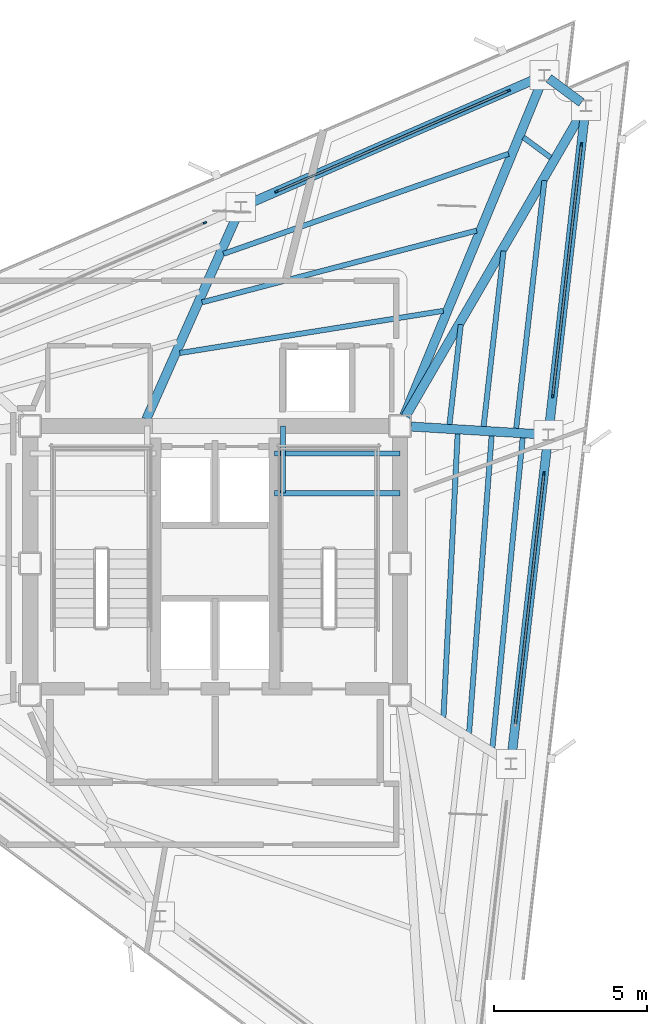
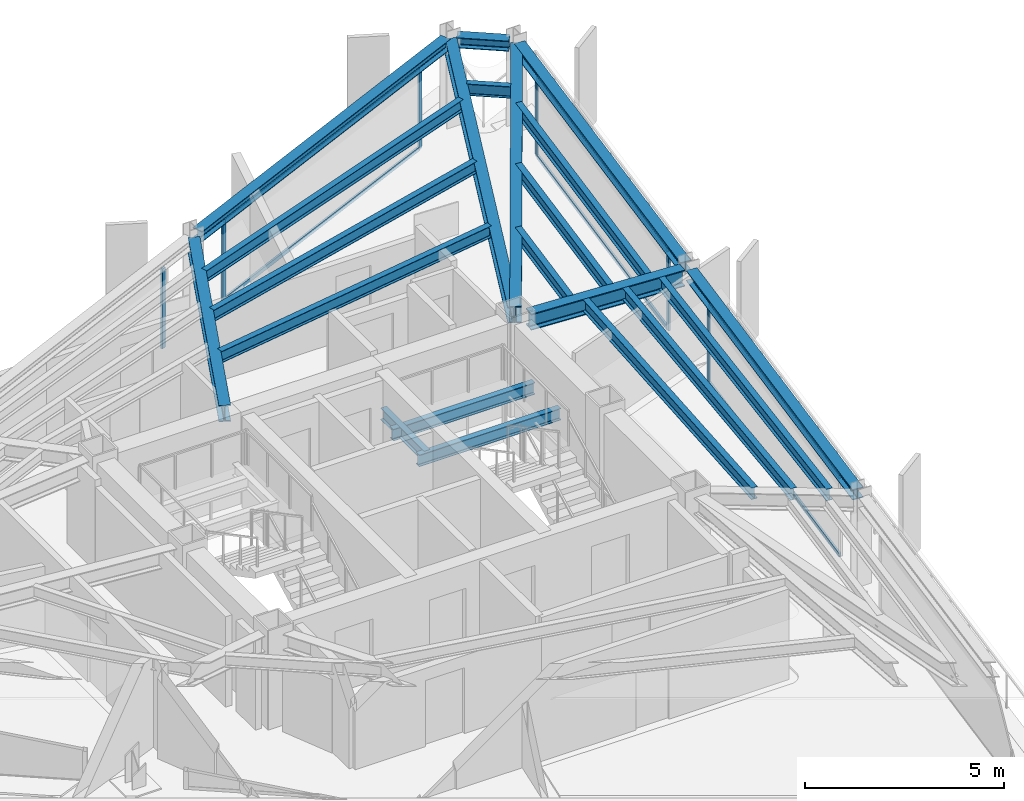
# One storey, part 4 of 10: 21 beams, 12 members, 4 elements without a shape of their own.
"""IFC4 building model written with IfcOpenShell, lengths in metres."""

from ifc_helpers import new_model, si_unit, direction, frame, origin, origin_2d, place, context, subcontext, project, spatial, rectangle, i_section, extrude, material, layer, layer_set, material_profile, profile_set, type_object, element, aggregate, save


model = new_model("IFC4")

# Units and contexts
model_context = context("Model", 3, precision=1e-05, world=origin(), true_north=direction((0.0, 1.0)))
body_context = subcontext(model_context, "Body", "Model", "MODEL_VIEW")
ifc_project = project(units=[si_unit("LENGTHUNIT", "METRE"), si_unit("AREAUNIT", "SQUARE_METRE"), si_unit("VOLUMEUNIT", "CUBIC_METRE"), si_unit("PLANEANGLEUNIT", "RADIAN"), si_unit("MASSUNIT", "GRAM", prefix="KILO")], contexts=[model_context])

# Site, building, storey
site_placement = place(None, origin())
site = spatial("IfcSite", under=ifc_project, at=site_placement, CompositionType="ELEMENT")
building_placement = place(site_placement, origin())
building = spatial("IfcBuilding", under=site, at=building_placement, Name="Rocaltana Carrier Exchange", CompositionType="ELEMENT")
storey_placement = place(building_placement, frame((0.0, 0.0, 214.8798828125)))
storey = spatial("IfcBuildingStorey", under=building, at=storey_placement, Name="L68", CompositionType="ELEMENT", Elevation=214.8798828125)

# Curtain wall, member
ifc_material_1 = material(Name="Aluminium 6063-T6", Category="aluminium")
ifc_layer = layer(ifc_material_1, 0.1201171875)
ifc_layer_set = layer_set([ifc_layer], Name="Aluminium 6063-T6")
curtain_wall_type = type_object("IfcCurtainWallType", Name="High-Altitude Thermal Curtain Wall CW-05", PredefinedType="NOTDEFINED", material=ifc_layer_set)
curtain_wall_1_placement = place(storey_placement, origin())
curtain_wall_1 = element("IfcCurtainWall", 1, at=curtain_wall_1_placement, inside=storey, type_object=curtain_wall_type, Name="L68 CW-05 Run CW-L68-F1S2", PredefinedType="NOTDEFINED")
ifc_material_2 = material(Name="Aluminium 6063-T6", Category="aluminium")
ifc_material_profile_1 = material_profile(ifc_material_2, rectangle(XDim=0.06005859375, YDim=0.1201171875, at=origin_2d()), Name="AL-60X120")
ifc_profile_set_1 = profile_set([ifc_material_profile_1], Name="Aluminium 6063-T6")
member_type_1 = type_object("IfcMemberType", Name="CW-05 Mullion AL-60X120", PredefinedType="MULLION", material=ifc_profile_set_1)
member_1_placement = place(storey_placement, frame((10.756591796875, 2.93798828125, 0.0), z_axis=(0.0, 0.0, 1.0), x_axis=(-0.993571216652, 0.113208822277, 0.0)))
member_1 = element("IfcMember", 2, at=member_1_placement, type_object=member_type_1, Name="CW-05 mullion 2", PredefinedType="MULLION", context=body_context, shape_type="SweptSolid", body=[
    extrude(rectangle(XDim=0.06005859375, YDim=0.1201171875, at=origin_2d()), origin(), (0.0, 0.0, 1.0), 2.447998046875),
])

# Curtain wall, members
curtain_wall_2_placement = place(storey_placement, origin())
curtain_wall_2 = element("IfcCurtainWall", 3, at=curtain_wall_2_placement, inside=storey, type_object=curtain_wall_type, Name="L68 CW-05 Run CW-L68-F1S3", PredefinedType="NOTDEFINED")
member_2_placement = place(storey_placement, frame((11.04638671875, 5.4814453125, 0.0), z_axis=(0.0, 0.0, 1.0), x_axis=(-0.993572566365, 0.113196975964, 0.0)))
member_2 = element("IfcMember", 4, at=member_2_placement, type_object=member_type_1, Name="CW-05 mullion 1", PredefinedType="MULLION", context=body_context, shape_type="SweptSolid", body=[
    extrude(rectangle(XDim=0.06005859375, YDim=0.1201171875, at=origin_2d()), origin(), (0.0, 0.0, 1.0), 2.447998046875),
])
member_3_placement = place(storey_placement, frame((11.98291015625, 13.70166015625, 0.0), z_axis=(0.0, 0.0, 1.0), x_axis=(-0.993572566365, 0.113196975964, 0.0)))
member_3 = element("IfcMember", 5, at=member_3_placement, type_object=member_type_1, Name="CW-05 mullion 2", PredefinedType="MULLION", context=body_context, shape_type="SweptSolid", body=[
    extrude(rectangle(XDim=0.06005859375, YDim=0.1201171875, at=origin_2d()), origin(), (0.0, 0.0, 1.0), 2.447998046875),
])

curtain_wall_3_placement = place(storey_placement, origin())
curtain_wall_3 = element("IfcCurtainWall", 6, at=curtain_wall_3_placement, inside=storey, type_object=curtain_wall_type, Name="L68 CW-05 Run CW-L68-F2S1", PredefinedType="NOTDEFINED")
member_4_placement = place(storey_placement, frame((9.599609375, 15.46533203125, 0.0), z_axis=(0.0, 0.0, 1.0), x_axis=(0.39875682637, -0.917056701313, 0.0)))
member_4 = element("IfcMember", 7, at=member_4_placement, type_object=member_type_1, Name="CW-05 mullion 1", PredefinedType="MULLION", context=body_context, shape_type="SweptSolid", body=[
    extrude(rectangle(XDim=0.06005859375, YDim=0.1201171875, at=origin_2d()), origin(), (0.0, 0.0, 1.0), 2.447998046875),
])
member_5_placement = place(storey_placement, frame((2.01220703125, 12.166259765625, 0.0), z_axis=(0.0, 0.0, 1.0), x_axis=(0.39875682637, -0.917056701313, 0.0)))
member_5 = element("IfcMember", 8, at=member_5_placement, type_object=member_type_1, Name="CW-05 mullion 2", PredefinedType="MULLION", context=body_context, shape_type="SweptSolid", body=[
    extrude(rectangle(XDim=0.06005859375, YDim=0.1201171875, at=origin_2d()), origin(), (0.0, 0.0, 1.0), 2.447998046875),
])

# Curtain wall, member
curtain_wall_4_placement = place(storey_placement, origin())
curtain_wall_4 = element("IfcCurtainWall", 9, at=curtain_wall_4_placement, inside=storey, type_object=curtain_wall_type, Name="L68 CW-05 Run CW-L68-F2S2", PredefinedType="NOTDEFINED")
member_6_placement = place(storey_placement, frame((-0.335205078125, 11.1455078125, 0.0), z_axis=(0.0, 0.0, 1.0), x_axis=(0.398752438254, -0.917058609352, 0.0)))
member_6 = element("IfcMember", 10, at=member_6_placement, type_object=member_type_1, Name="CW-05 mullion 1", PredefinedType="MULLION", context=body_context, shape_type="SweptSolid", body=[
    extrude(rectangle(XDim=0.06005859375, YDim=0.1201171875, at=origin_2d()), origin(), (0.0, 0.0, 1.0), 2.447998046875),
])
aggregate(curtain_wall_4, [member_6])

# Member
ifc_material_3 = material(Name="Aluminium 6063-T6", Category="aluminium")
ifc_material_profile_2 = material_profile(ifc_material_3, rectangle(XDim=0.06005859375, YDim=0.1201171875, at=origin_2d()), Name="AL-60X120")
ifc_profile_set_2 = profile_set([ifc_material_profile_2], Name="Aluminium 6063-T6")
member_type_2 = type_object("IfcMemberType", Name="CW-05 Transom AL-60X120", PredefinedType="USERDEFINED", material=ifc_profile_set_2)
member_7_placement = place(storey_placement, frame((9.8232421875, -5.25244140625, 0.030029296875), z_axis=(0.113220478228, 0.993569888488, 0.0), x_axis=(-0.993569888488, 0.113220478228, 0.0)))
member_7 = element("IfcMember", 11, at=member_7_placement, type_object=member_type_2, Name="CW-05 transom 1.1", ObjectType="TRANSOM", PredefinedType="USERDEFINED", context=body_context, shape_type="SweptSolid", body=[
    extrude(rectangle(XDim=0.06005859375, YDim=0.1201171875, at=origin_2d()), origin(), (0.0, 0.0, 1.0), 8.21337890625),
])

member_8_placement = place(storey_placement, frame((9.8232421875, -5.25244140625, 2.418212890625), z_axis=(0.113220478228, 0.993569888488, 0.0), x_axis=(-0.993569888488, 0.113220478228, 0.0)))
member_8 = element("IfcMember", 12, at=member_8_placement, type_object=member_type_2, Name="CW-05 transom 1.2", ObjectType="TRANSOM", PredefinedType="USERDEFINED", context=body_context, shape_type="SweptSolid", body=[
    extrude(rectangle(XDim=0.06005859375, YDim=0.1201171875, at=origin_2d()), origin(), (0.0, 0.0, 1.0), 8.21337890625),
])

aggregate(curtain_wall_1, [member_1, member_7, member_8])

member_9_placement = place(storey_placement, frame((11.0498046875, 5.51123046875, 0.030029296875), z_axis=(0.113191134651, 0.993573231844, 0.0), x_axis=(-0.993573231844, 0.113191134651, 0.0)))
member_9 = element("IfcMember", 13, at=member_9_placement, type_object=member_type_2, Name="CW-05 transom 1.1", ObjectType="TRANSOM", PredefinedType="USERDEFINED", context=body_context, shape_type="SweptSolid", body=[
    extrude(rectangle(XDim=0.06005859375, YDim=0.1201171875, at=origin_2d()), origin(), (0.0, 0.0, 1.0), 8.21337890625),
])

member_10_placement = place(storey_placement, frame((11.0498046875, 5.51123046875, 2.418212890625), z_axis=(0.113191134651, 0.993573231844, 0.0), x_axis=(-0.993573231844, 0.113191134651, 0.0)))
member_10 = element("IfcMember", 14, at=member_10_placement, type_object=member_type_2, Name="CW-05 transom 1.2", ObjectType="TRANSOM", PredefinedType="USERDEFINED", context=body_context, shape_type="SweptSolid", body=[
    extrude(rectangle(XDim=0.06005859375, YDim=0.1201171875, at=origin_2d()), origin(), (0.0, 0.0, 1.0), 8.21337890625),
])

aggregate(curtain_wall_2, [member_2, member_3, member_9, member_10])

member_11_placement = place(storey_placement, frame((9.572021484375, 15.453369140625, 0.030029296875), z_axis=(-0.917058241688, -0.398753283814, 0.0), x_axis=(0.398753283814, -0.917058241688, 0.0)))
member_11 = element("IfcMember", 15, at=member_11_placement, type_object=member_type_2, Name="CW-05 transom 1.1", ObjectType="TRANSOM", PredefinedType="USERDEFINED", context=body_context, shape_type="SweptSolid", body=[
    extrude(rectangle(XDim=0.06005859375, YDim=0.1201171875, at=origin_2d()), origin(), (0.0, 0.0, 1.0), 8.21337890625),
])

member_12_placement = place(storey_placement, frame((9.572021484375, 15.453369140625, 2.418212890625), z_axis=(-0.917058241688, -0.398753283814, 0.0), x_axis=(0.398753283814, -0.917058241688, 0.0)))
member_12 = element("IfcMember", 16, at=member_12_placement, type_object=member_type_2, Name="CW-05 transom 1.2", ObjectType="TRANSOM", PredefinedType="USERDEFINED", context=body_context, shape_type="SweptSolid", body=[
    extrude(rectangle(XDim=0.06005859375, YDim=0.1201171875, at=origin_2d()), origin(), (0.0, 0.0, 1.0), 8.21337890625),
])

aggregate(curtain_wall_3, [member_4, member_5, member_11, member_12])

# Beams
ifc_material_4 = material(Name="Steel S355", Category="steel")
ifc_material_profile_3 = material_profile(ifc_material_4, i_section(OverallWidth=0.172119140625, OverallDepth=0.35791015625, WebThickness=0.0078125, FlangeThickness=0.01318359375, FilletRadius=0.011962890625, at=origin_2d()), Name="W14X38")
ifc_profile_set_3 = profile_set([ifc_material_profile_3], Name="Steel S355")
beam_type_1 = type_object("IfcBeamType", Name="Floor Joist W14X38", PredefinedType="JOIST", material=ifc_profile_set_3)
for number, where, z_axis, x_axis, name in (
    (17, (1.93994140625, 2.300048828125, 1.14111328125), (1.0, 0.0, 0.0), (0.0, 1.0, 0.0), "L68 ST-2 Landing Carrier 1"),
    (18, (1.93994140625, 3.60009765625, 1.14111328125), (1.0, 0.0, 0.0), (0.0, 1.0, 0.0), "L68 ST-2 Landing Carrier 2"),
):
    element("IfcBeam", number, at=place(storey_placement, frame(where, z_axis=z_axis, x_axis=x_axis)), inside=storey, type_object=beam_type_1, Name=name, PredefinedType="JOIST", context=body_context, shape_type="SweptSolid", body=[
        extrude(i_section(OverallWidth=0.172119140625, OverallDepth=0.35791015625, WebThickness=0.0078125, FlangeThickness=0.01318359375, FilletRadius=0.011962890625, at=origin_2d()), origin(), (0.0, 0.0, 1.0), 4.110107421875),
    ])
beam_1_placement = place(storey_placement, frame((2.219970703125, 2.300048828125, 1.14111328125), z_axis=(0.0, 1.0, 0.0), x_axis=(-1.0, 0.0, 0.0)))
element("IfcBeam", 19, at=beam_1_placement, inside=storey, type_object=beam_type_1, Name="L68 ST-2 Landing Cross Trimmer", PredefinedType="JOIST", context=body_context, shape_type="SweptSolid", body=[
    extrude(i_section(OverallWidth=0.172119140625, OverallDepth=0.35791015625, WebThickness=0.0078125, FlangeThickness=0.01318359375, FilletRadius=0.011962890625, at=origin_2d()), origin(), (0.0, 0.0, 1.0), 2.199951171875),
])
beam_2_placement = place(storey_placement, frame((7.470947265625, -5.03515625, 2.619140625), z_axis=(0.049933684641, 0.998752535485, 0.0), x_axis=(-0.998752535485, 0.049933684641, 0.0)))
element("IfcBeam", 20, at=beam_2_placement, inside=storey, type_object=beam_type_1, Name="FJ-L68-02-1", PredefinedType="JOIST", context=body_context, shape_type="SweptSolid", body=[
    extrude(i_section(OverallWidth=0.172119140625, OverallDepth=0.35791015625, WebThickness=0.0078125, FlangeThickness=0.01318359375, FilletRadius=0.011962890625, at=origin_2d()), origin(), (0.0, 0.0, 1.0), 9.28955078125),
])
beam_3_placement = place(storey_placement, frame((8.308349609375, -5.553955078125, 2.619140625), z_axis=(0.075705441131, 0.997130225288, 0.0), x_axis=(-0.997130225288, 0.075705441131, 0.0)))
element("IfcBeam", 21, at=beam_3_placement, inside=storey, type_object=beam_type_1, Name="FJ-L68-02-2", PredefinedType="JOIST", context=body_context, shape_type="SweptSolid", body=[
    extrude(i_section(OverallWidth=0.172119140625, OverallDepth=0.35791015625, WebThickness=0.0078125, FlangeThickness=0.01318359375, FilletRadius=0.011962890625, at=origin_2d()), origin(), (0.0, 0.0, 1.0), 9.758544921875),
])
beam_4_placement = place(storey_placement, frame((9.07275390625, -6.027587890625, 2.619140625), z_axis=(0.097138741589, 0.995270850011, 0.0), x_axis=(-0.995270850011, 0.097138741589, 0.0)))
element("IfcBeam", 22, at=beam_4_placement, inside=storey, type_object=beam_type_1, Name="FJ-L68-02-3", PredefinedType="JOIST", context=body_context, shape_type="SweptSolid", body=[
    extrude(i_section(OverallWidth=0.172119140625, OverallDepth=0.35791015625, WebThickness=0.0078125, FlangeThickness=0.01318359375, FilletRadius=0.011962890625, at=origin_2d()), origin(), (0.0, 0.0, 1.0), 10.19140625),
])
beam_5_placement = place(storey_placement, frame((7.667236328125, 4.54736328125, 2.619140625), z_axis=(0.113203016028, 0.993571878206, 0.0), x_axis=(-0.993571878206, 0.113203016028, 0.0)))
element("IfcBeam", 23, at=beam_5_placement, inside=storey, type_object=beam_type_1, Name="FJ-L68-03-1", PredefinedType="JOIST", context=body_context, shape_type="SweptSolid", body=[
    extrude(i_section(OverallWidth=0.172119140625, OverallDepth=0.35791015625, WebThickness=0.0078125, FlangeThickness=0.01318359375, FilletRadius=0.011962890625, at=origin_2d()), origin(), (0.0, 0.0, 1.0), 3.286865234375),
])
beam_6_placement = place(storey_placement, frame((8.783203125, 4.48046875, 2.619140625), z_axis=(0.113185542157, 0.993573868943, 0.0), x_axis=(-0.993573868943, 0.113185542157, 0.0)))
element("IfcBeam", 24, at=beam_6_placement, inside=storey, type_object=beam_type_1, Name="FJ-L68-03-2", PredefinedType="JOIST", context=body_context, shape_type="SweptSolid", body=[
    extrude(i_section(OverallWidth=0.172119140625, OverallDepth=0.35791015625, WebThickness=0.0078125, FlangeThickness=0.01318359375, FilletRadius=0.011962890625, at=origin_2d()), origin(), (0.0, 0.0, 1.0), 5.778564453125),
])
beam_7_placement = place(storey_placement, frame((9.850341796875, 4.41650390625, 2.619140625), z_axis=(0.113215051584, 0.993570506856, 0.0), x_axis=(-0.993570506856, 0.113215051584, 0.0)))
element("IfcBeam", 25, at=beam_7_placement, inside=storey, type_object=beam_type_1, Name="FJ-L68-03-3", PredefinedType="JOIST", context=body_context, shape_type="SweptSolid", body=[
    extrude(i_section(OverallWidth=0.172119140625, OverallDepth=0.35791015625, WebThickness=0.0078125, FlangeThickness=0.01318359375, FilletRadius=0.011962890625, at=origin_2d()), origin(), (0.0, 0.0, 1.0), 8.162109375),
])
beam_8_placement = place(storey_placement, frame((10.978759765625, 13.278564453125, 2.619140625), z_axis=(-0.803783025316, 0.594922556484, 0.0), x_axis=(-0.594922556484, -0.803783025316, 0.0)))
element("IfcBeam", 26, at=beam_8_placement, inside=storey, type_object=beam_type_1, Name="FJ-L68-04-3", PredefinedType="JOIST", context=body_context, shape_type="SweptSolid", body=[
    extrude(i_section(OverallWidth=0.172119140625, OverallDepth=0.35791015625, WebThickness=0.0078125, FlangeThickness=0.01318359375, FilletRadius=0.011962890625, at=origin_2d()), origin(), (0.0, 0.0, 1.0), 1.1103515625),
])
beam_9_placement = place(storey_placement, frame((7.466552734375, 8.26416015625, 2.619140625), z_axis=(-0.987434349957, -0.158029758352, 0.0), x_axis=(0.158029758352, -0.987434349957, 0.0)))
element("IfcBeam", 27, at=beam_9_placement, inside=storey, type_object=beam_type_1, Name="FJ-L68-05-1", PredefinedType="JOIST", context=body_context, shape_type="SweptSolid", body=[
    extrude(i_section(OverallWidth=0.172119140625, OverallDepth=0.35791015625, WebThickness=0.0078125, FlangeThickness=0.01318359375, FilletRadius=0.011962890625, at=origin_2d()), origin(), (0.0, 0.0, 1.0), 8.731689453125),
])
beam_10_placement = place(storey_placement, frame((8.5556640625, 10.889892578125, 2.619140625), z_axis=(-0.967527830679, -0.252764508708, 0.0), x_axis=(0.252764508708, -0.967527830679, 0.0)))
element("IfcBeam", 28, at=beam_10_placement, inside=storey, type_object=beam_type_1, Name="FJ-L68-05-2", PredefinedType="JOIST", context=body_context, shape_type="SweptSolid", body=[
    extrude(i_section(OverallWidth=0.172119140625, OverallDepth=0.35791015625, WebThickness=0.0078125, FlangeThickness=0.01318359375, FilletRadius=0.011962890625, at=origin_2d()), origin(), (0.0, 0.0, 1.0), 9.2822265625),
])
beam_11_placement = place(storey_placement, frame((9.598388671875, 13.4033203125, 2.619140625), z_axis=(-0.943534028817, -0.331275620087, 0.0), x_axis=(0.331275620087, -0.943534028817, 0.0)))
element("IfcBeam", 29, at=beam_11_placement, inside=storey, type_object=beam_type_1, Name="FJ-L68-05-3", PredefinedType="JOIST", context=body_context, shape_type="SweptSolid", body=[
    extrude(i_section(OverallWidth=0.172119140625, OverallDepth=0.35791015625, WebThickness=0.0078125, FlangeThickness=0.01318359375, FilletRadius=0.011962890625, at=origin_2d()), origin(), (0.0, 0.0, 1.0), 9.883544921875),
])
ifc_material_5 = material(Name="Steel S355", Category="steel")
ifc_material_profile_4 = material_profile(ifc_material_5, i_section(OverallWidth=0.300048828125, OverallDepth=0.320068359375, WebThickness=0.011474609375, FlangeThickness=0.0205078125, FilletRadius=0.027099609375, at=origin_2d()), Name="HEB320")
ifc_profile_set_4 = profile_set([ifc_material_profile_4], Name="Steel S355")
beam_type_2 = type_object("IfcBeamType", Name="Spandrel Edge Beam HEB320", PredefinedType="SPANDREL", material=ifc_profile_set_4)
for number, where, z_axis, x_axis, name in (
    (30, (9.6953125, -6.375732421875, 2.63818359375), (0.113206731638, 0.99357145486, 0.0), (-0.99357145486, 0.113206731638, 0.0), "SP-L68-02"),
    (31, (10.921630859375, 4.387939453125, 2.63818359375), (0.113206731638, 0.99357145486, 0.0), (-0.99357145486, 0.113206731638, 0.0), "SP-L68-03"),
):
    element("IfcBeam", number, at=place(storey_placement, frame(where, z_axis=z_axis, x_axis=x_axis)), inside=storey, type_object=beam_type_2, Name=name, PredefinedType="SPANDREL", context=body_context, shape_type="SweptSolid", body=[
        extrude(i_section(OverallWidth=0.300048828125, OverallDepth=0.320068359375, WebThickness=0.011474609375, FlangeThickness=0.0205078125, FilletRadius=0.027099609375, at=origin_2d()), origin(), (0.0, 0.0, 1.0), 10.474609375),
    ])
beam_12_placement = place(storey_placement, frame((11.9833984375, 15.080078125, 2.63818359375), z_axis=(-0.803827813477, 0.594862039703, 0.0), x_axis=(-0.594862039703, -0.803827813477, 0.0)))
element("IfcBeam", 32, at=beam_12_placement, inside=storey, type_object=beam_type_2, Name="SP-L68-04", PredefinedType="SPANDREL", context=body_context, shape_type="SweptSolid", body=[
    extrude(i_section(OverallWidth=0.300048828125, OverallDepth=0.320068359375, WebThickness=0.011474609375, FlangeThickness=0.0205078125, FilletRadius=0.027099609375, at=origin_2d()), origin(), (0.0, 0.0, 1.0), 1.326171875),
])
beam_13_placement = place(storey_placement, frame((10.608642578125, 15.904052734375, 2.63818359375), z_axis=(-0.91705375058, -0.398763612366, 0.0), x_axis=(0.398763612366, -0.91705375058, 0.0)))
element("IfcBeam", 33, at=beam_13_placement, inside=storey, type_object=beam_type_2, Name="SP-L68-05", PredefinedType="SPANDREL", context=body_context, shape_type="SweptSolid", body=[
    extrude(i_section(OverallWidth=0.300048828125, OverallDepth=0.320068359375, WebThickness=0.011474609375, FlangeThickness=0.0205078125, FilletRadius=0.027099609375, at=origin_2d()), origin(), (0.0, 0.0, 1.0), 10.474365234375),
])
ifc_material_6 = material(Name="Steel S355", Category="steel")
ifc_material_profile_5 = material_profile(ifc_material_6, i_section(OverallWidth=0.300048828125, OverallDepth=0.5, WebThickness=0.014404296875, FlangeThickness=0.028076171875, FilletRadius=0.027099609375, at=origin_2d()), Name="HEB500")
ifc_profile_set_5 = profile_set([ifc_material_profile_5], Name="Steel S355")
beam_type_3 = type_object("IfcBeamType", Name="Upper Radial Girder HEB500", PredefinedType="BEAM", material=ifc_profile_set_5)
beam_14_placement = place(storey_placement, frame((6.416259765625, 4.47802734375, 2.548095703125), z_axis=(0.998215724423, -0.05971069849, 0.0), x_axis=(0.05971069849, 0.998215724423, 0.0)))
element("IfcBeam", 34, at=beam_14_placement, inside=storey, type_object=beam_type_3, Name="RG-L68-03", PredefinedType="BEAM", context=body_context, shape_type="SweptSolid", body=[
    extrude(i_section(OverallWidth=0.300048828125, OverallDepth=0.5, WebThickness=0.014404296875, FlangeThickness=0.028076171875, FilletRadius=0.027099609375, at=origin_2d()), origin(), (0.0, 0.0, 1.0), 4.313720703125),
])
beam_15_placement = place(storey_placement, frame((6.234130859375, 4.8173828125, 2.548095703125), z_axis=(0.501914939846, 0.864916986282, 0.0), x_axis=(-0.864916986282, 0.501914939846, 0.0)))
element("IfcBeam", 35, at=beam_15_placement, inside=storey, type_object=beam_type_3, Name="RG-L68-04", PredefinedType="BEAM", context=body_context, shape_type="SweptSolid", body=[
    extrude(i_section(OverallWidth=0.300048828125, OverallDepth=0.5, WebThickness=0.014404296875, FlangeThickness=0.028076171875, FilletRadius=0.027099609375, at=origin_2d()), origin(), (0.0, 0.0, 1.0), 11.562744140625),
])
beam_16_placement = place(storey_placement, frame((6.189697265625, 4.83935546875, 2.548095703125), z_axis=(0.380622487271, 0.924730513276, 0.0), x_axis=(-0.924730513276, 0.380622487271, 0.0)))
element("IfcBeam", 36, at=beam_16_placement, inside=storey, type_object=beam_type_3, Name="RG-L68-05", PredefinedType="BEAM", context=body_context, shape_type="SweptSolid", body=[
    extrude(i_section(OverallWidth=0.300048828125, OverallDepth=0.5, WebThickness=0.014404296875, FlangeThickness=0.028076171875, FilletRadius=0.027099609375, at=origin_2d()), origin(), (0.0, 0.0, 1.0), 11.863037109375),
])
beam_17_placement = place(storey_placement, frame((-2.25146484375, 4.720947265625, 2.548095703125), z_axis=(0.406997014031, 0.913429488559, 0.0), x_axis=(-0.913429488559, 0.406997014031, 0.0)))
element("IfcBeam", 37, at=beam_17_placement, inside=storey, type_object=beam_type_3, Name="RG-L68-06", PredefinedType="BEAM", context=body_context, shape_type="SweptSolid", body=[
    extrude(i_section(OverallWidth=0.300048828125, OverallDepth=0.5, WebThickness=0.014404296875, FlangeThickness=0.028076171875, FilletRadius=0.027099609375, at=origin_2d()), origin(), (0.0, 0.0, 1.0), 7.412353515625),
])

save(model, "model.ifc")
